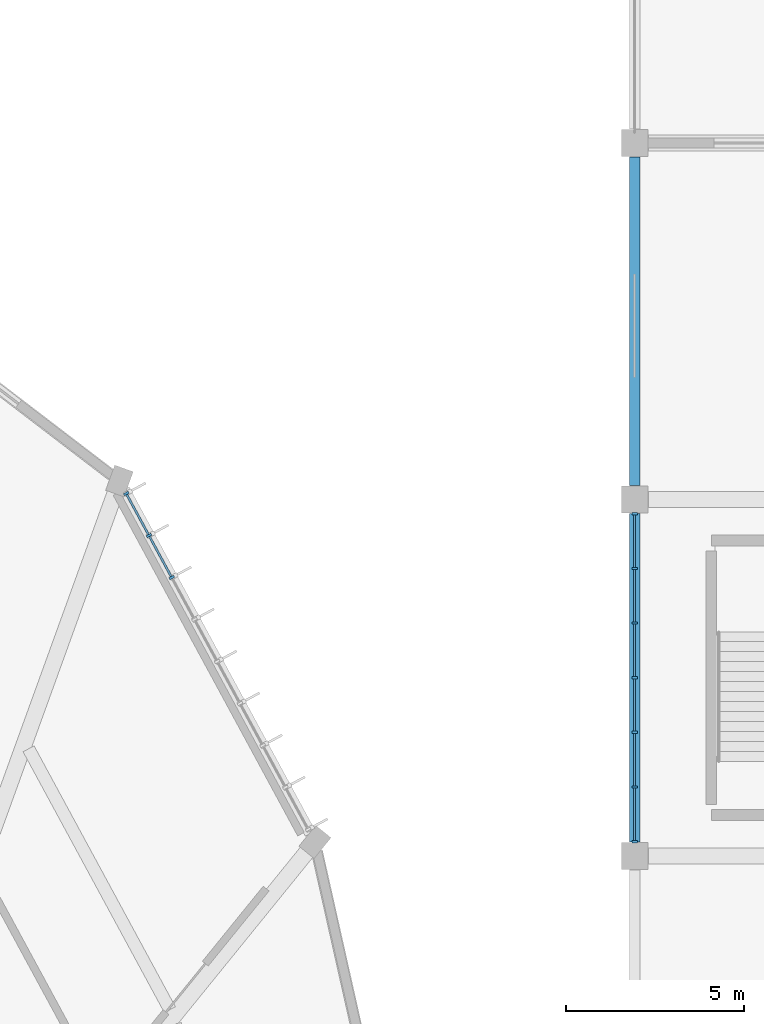
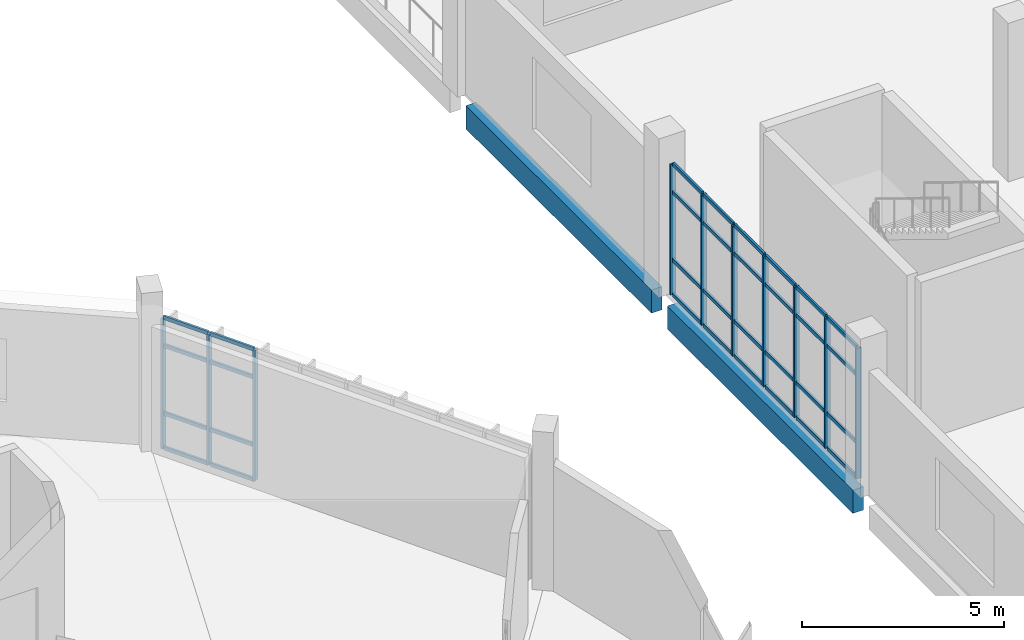
# One storey, part 73 of 179: 42 members, 2 beams, 2 elements without a shape of their own.
"""IFC4 building model written with IfcOpenShell, lengths in metres."""

from ifc_helpers import new_model, si_unit, direction, frame, origin, origin_2d, place, context, subcontext, project, spatial, rectangle, extrude, material, layer, layer_set, material_profile, profile_set, type_object, element, aggregate, save


model = new_model("IFC4")

# Units and contexts
model_context = context("Model", 3, precision=1e-05, world=origin(), true_north=direction((0.0, 1.0)))
body_context = subcontext(model_context, "Body", "Model", "MODEL_VIEW")
ifc_project = project(units=[si_unit("LENGTHUNIT", "METRE"), si_unit("AREAUNIT", "SQUARE_METRE"), si_unit("VOLUMEUNIT", "CUBIC_METRE"), si_unit("PLANEANGLEUNIT", "RADIAN"), si_unit("MASSUNIT", "GRAM", prefix="KILO")], contexts=[model_context])

# Site, building, storey
site_placement = place(None, origin())
site = spatial("IfcSite", under=ifc_project, at=site_placement, CompositionType="ELEMENT")
building_placement = place(site_placement, origin())
building = spatial("IfcBuilding", under=site, at=building_placement, Name="Corvandel Quay Wholesale Market", CompositionType="ELEMENT")
storey_placement = place(building_placement, frame((0.0, 0.0, 6.0)))
storey = spatial("IfcBuildingStorey", under=building, at=storey_placement, Name="L01", CompositionType="ELEMENT", Elevation=6.0)

# Curtain wall, members
ifc_material_1 = material(Name="Bronze anodised aluminium and low-E insulated glazing", Category="aluminium")
ifc_layer_1 = layer(ifc_material_1, 0.162109375)
ifc_layer_set_1 = layer_set([ifc_layer_1], Name="Bronze anodised aluminium and low-E insulated glazing")
curtain_wall_type_1 = type_object("IfcCurtainWallType", Name="Stick Curtain Wall System CW11 H3990", PredefinedType="NOTDEFINED", material=ifc_layer_set_1)
curtain_wall_1_placement = place(storey_placement, origin())
curtain_wall_1 = element("IfcCurtainWall", 1, at=curtain_wall_1_placement, inside=storey, type_object=curtain_wall_type_1, Name="Curtain Wall CW-0131", PredefinedType="NOTDEFINED")
ifc_material_2 = material(Name="Anodised aluminium 6063-T6", Category="aluminium")
ifc_material_profile_1 = material_profile(ifc_material_2, rectangle(XDim=0.06494140625, YDim=0.14990234375, at=origin_2d()), Name="ALU-MUL-65x150")
ifc_profile_set_1 = profile_set([ifc_material_profile_1], Name="Anodised aluminium 6063-T6")
member_type_1 = type_object("IfcMemberType", Name="Curtain Wall Mullion ML02 65x150", PredefinedType="MULLION", material=ifc_profile_set_1)
member_1_placement = place(storey_placement, frame((207.012451171875, 87.811279296875, 0.0), z_axis=(0.0, 0.0, 1.0), x_axis=(-0.476238203668, 0.879316310191, 0.0)))
member_1 = element("IfcMember", 2, at=member_1_placement, type_object=member_type_1, Name="Mullion CW-0131-M06", PredefinedType="MULLION", context=body_context, shape_type="SweptSolid", body=[
    extrude(rectangle(XDim=0.06494140625, YDim=0.14990234375, at=origin_2d()), origin(), (0.0, 0.0, 1.0), 3.949951171875),
])
member_2_placement = place(storey_placement, frame((206.37451171875, 88.989501953125, 0.0), z_axis=(0.0, 0.0, 1.0), x_axis=(-0.476238203668, 0.879316310191, 0.0)))
member_2 = element("IfcMember", 3, at=member_2_placement, type_object=member_type_1, Name="Mullion CW-0131-M07", PredefinedType="MULLION", context=body_context, shape_type="SweptSolid", body=[
    extrude(rectangle(XDim=0.06494140625, YDim=0.14990234375, at=origin_2d()), origin(), (0.0, 0.0, 1.0), 3.949951171875),
])
member_3_placement = place(storey_placement, frame((205.736572265625, 90.167236328125, 0.0), z_axis=(0.0, 0.0, 1.0), x_axis=(-0.476238203668, 0.879316310191, 0.0)))
member_3 = element("IfcMember", 4, at=member_3_placement, type_object=member_type_1, Name="Mullion CW-0131-M08", PredefinedType="MULLION", context=body_context, shape_type="SweptSolid", body=[
    extrude(rectangle(XDim=0.06494140625, YDim=0.14990234375, at=origin_2d()), origin(), (0.0, 0.0, 1.0), 3.949951171875),
])

ifc_layer_2 = layer(ifc_material_1, 0.162109375)
ifc_layer_set_2 = layer_set([ifc_layer_2], Name="Bronze anodised aluminium and low-E insulated glazing")
curtain_wall_type_2 = type_object("IfcCurtainWallType", Name="Stick Curtain Wall System CW26 H5340", PredefinedType="NOTDEFINED", material=ifc_layer_set_2)
curtain_wall_2_placement = place(storey_placement, origin())
curtain_wall_2 = element("IfcCurtainWall", 5, at=curtain_wall_2_placement, inside=storey, type_object=curtain_wall_type_2, Name="Curtain Wall CW-0155", PredefinedType="NOTDEFINED")
member_4_placement = place(storey_placement, frame((220.0, 80.39990234375, 0.0), z_axis=(0.0, 0.0, 1.0), x_axis=(0.0, 1.0, 0.0)))
member_4 = element("IfcMember", 6, at=member_4_placement, type_object=member_type_1, Name="Mullion CW-0155-M00", PredefinedType="MULLION", context=body_context, shape_type="SweptSolid", body=[
    extrude(rectangle(XDim=0.06494140625, YDim=0.14990234375, at=origin_2d()), origin(), (0.0, 0.0, 1.0), 3.949951171875),
])
member_5_placement = place(storey_placement, frame((220.0, 81.933349609375, 0.0), z_axis=(0.0, 0.0, 1.0), x_axis=(0.0, 1.0, 0.0)))
member_5 = element("IfcMember", 7, at=member_5_placement, type_object=member_type_1, Name="Mullion CW-0155-M01", PredefinedType="MULLION", context=body_context, shape_type="SweptSolid", body=[
    extrude(rectangle(XDim=0.06494140625, YDim=0.14990234375, at=origin_2d()), origin(), (0.0, 0.0, 1.0), 3.949951171875),
])
member_6_placement = place(storey_placement, frame((220.0, 83.466796875, 0.0), z_axis=(0.0, 0.0, 1.0), x_axis=(0.0, 1.0, 0.0)))
member_6 = element("IfcMember", 8, at=member_6_placement, type_object=member_type_1, Name="Mullion CW-0155-M02", PredefinedType="MULLION", context=body_context, shape_type="SweptSolid", body=[
    extrude(rectangle(XDim=0.06494140625, YDim=0.14990234375, at=origin_2d()), origin(), (0.0, 0.0, 1.0), 3.949951171875),
])
member_7_placement = place(storey_placement, frame((220.0, 85.0, 0.0), z_axis=(0.0, 0.0, 1.0), x_axis=(0.0, 1.0, 0.0)))
member_7 = element("IfcMember", 9, at=member_7_placement, type_object=member_type_1, Name="Mullion CW-0155-M03", PredefinedType="MULLION", context=body_context, shape_type="SweptSolid", body=[
    extrude(rectangle(XDim=0.06494140625, YDim=0.14990234375, at=origin_2d()), origin(), (0.0, 0.0, 1.0), 3.949951171875),
])
member_8_placement = place(storey_placement, frame((220.0, 86.533203125, 0.0), z_axis=(0.0, 0.0, 1.0), x_axis=(0.0, 1.0, 0.0)))
member_8 = element("IfcMember", 10, at=member_8_placement, type_object=member_type_1, Name="Mullion CW-0155-M04", PredefinedType="MULLION", context=body_context, shape_type="SweptSolid", body=[
    extrude(rectangle(XDim=0.06494140625, YDim=0.14990234375, at=origin_2d()), origin(), (0.0, 0.0, 1.0), 3.949951171875),
])
member_9_placement = place(storey_placement, frame((220.0, 88.066650390625, 0.0), z_axis=(0.0, 0.0, 1.0), x_axis=(0.0, 1.0, 0.0)))
member_9 = element("IfcMember", 11, at=member_9_placement, type_object=member_type_1, Name="Mullion CW-0155-M05", PredefinedType="MULLION", context=body_context, shape_type="SweptSolid", body=[
    extrude(rectangle(XDim=0.06494140625, YDim=0.14990234375, at=origin_2d()), origin(), (0.0, 0.0, 1.0), 3.949951171875),
])
member_10_placement = place(storey_placement, frame((220.0, 89.60009765625, 0.0), z_axis=(0.0, 0.0, 1.0), x_axis=(0.0, 1.0, 0.0)))
member_10 = element("IfcMember", 12, at=member_10_placement, type_object=member_type_1, Name="Mullion CW-0155-M06", PredefinedType="MULLION", context=body_context, shape_type="SweptSolid", body=[
    extrude(rectangle(XDim=0.06494140625, YDim=0.14990234375, at=origin_2d()), origin(), (0.0, 0.0, 1.0), 3.949951171875),
])

# Member
ifc_material_profile_2 = material_profile(ifc_material_2, rectangle(XDim=0.06005859375, YDim=0.110107421875, at=origin_2d()), Name="ALU-TRN-60x110")
ifc_profile_set_2 = profile_set([ifc_material_profile_2], Name="Anodised aluminium 6063-T6")
member_type_2 = type_object("IfcMemberType", Name="Curtain Wall Transom TR02 60x110", PredefinedType="USERDEFINED", material=ifc_profile_set_2)
member_11_placement = place(storey_placement, frame((206.9970703125, 87.840087890625, 0.0), z_axis=(-0.476394220214, 0.87923179364, 0.0), x_axis=(-0.87923179364, -0.476394220214, 0.0)))
member_11 = element("IfcMember", 13, at=member_11_placement, type_object=member_type_2, Name="Transom CW-0131-T06-0", ObjectType="TRANSOM", PredefinedType="USERDEFINED", context=body_context, shape_type="SweptSolid", body=[
    extrude(rectangle(XDim=0.06005859375, YDim=0.110107421875, at=origin_2d()), origin(), (0.0, 0.0, 1.0), 1.2744140625),
])

member_12_placement = place(storey_placement, frame((206.9970703125, 87.840087890625, 1.050048828125), z_axis=(-0.476394220214, 0.87923179364, 0.0), x_axis=(-0.87923179364, -0.476394220214, 0.0)))
member_12 = element("IfcMember", 14, at=member_12_placement, type_object=member_type_2, Name="Transom CW-0131-T06-1", ObjectType="TRANSOM", PredefinedType="USERDEFINED", context=body_context, shape_type="SweptSolid", body=[
    extrude(rectangle(XDim=0.06005859375, YDim=0.110107421875, at=origin_2d()), origin(), (0.0, 0.0, 1.0), 1.2744140625),
])

member_13_placement = place(storey_placement, frame((206.9970703125, 87.840087890625, 3.10009765625), z_axis=(-0.476394220214, 0.87923179364, 0.0), x_axis=(-0.87923179364, -0.476394220214, 0.0)))
member_13 = element("IfcMember", 15, at=member_13_placement, type_object=member_type_2, Name="Transom CW-0131-T06-2", ObjectType="TRANSOM", PredefinedType="USERDEFINED", context=body_context, shape_type="SweptSolid", body=[
    extrude(rectangle(XDim=0.06005859375, YDim=0.110107421875, at=origin_2d()), origin(), (0.0, 0.0, 1.0), 1.2744140625),
])

member_14_placement = place(storey_placement, frame((206.9970703125, 87.840087890625, 3.949951171875), z_axis=(-0.476394220214, 0.87923179364, 0.0), x_axis=(-0.87923179364, -0.476394220214, 0.0)))
member_14 = element("IfcMember", 16, at=member_14_placement, type_object=member_type_2, Name="Transom CW-0131-T06-3", ObjectType="TRANSOM", PredefinedType="USERDEFINED", context=body_context, shape_type="SweptSolid", body=[
    extrude(rectangle(XDim=0.06005859375, YDim=0.110107421875, at=origin_2d()), origin(), (0.0, 0.0, 1.0), 1.2744140625),
])

member_15_placement = place(storey_placement, frame((206.35888671875, 89.017822265625, 0.0), z_axis=(-0.476165907025, 0.879355462249, 0.0), x_axis=(-0.879355462249, -0.476165907025, 0.0)))
member_15 = element("IfcMember", 17, at=member_15_placement, type_object=member_type_2, Name="Transom CW-0131-T07-0", ObjectType="TRANSOM", PredefinedType="USERDEFINED", context=body_context, shape_type="SweptSolid", body=[
    extrude(rectangle(XDim=0.06005859375, YDim=0.110107421875, at=origin_2d()), origin(), (0.0, 0.0, 1.0), 1.274658203125),
])

member_16_placement = place(storey_placement, frame((206.35888671875, 89.017822265625, 1.050048828125), z_axis=(-0.476165907025, 0.879355462249, 0.0), x_axis=(-0.879355462249, -0.476165907025, 0.0)))
member_16 = element("IfcMember", 18, at=member_16_placement, type_object=member_type_2, Name="Transom CW-0131-T07-1", ObjectType="TRANSOM", PredefinedType="USERDEFINED", context=body_context, shape_type="SweptSolid", body=[
    extrude(rectangle(XDim=0.06005859375, YDim=0.110107421875, at=origin_2d()), origin(), (0.0, 0.0, 1.0), 1.274658203125),
])

member_17_placement = place(storey_placement, frame((206.35888671875, 89.017822265625, 3.10009765625), z_axis=(-0.476165907025, 0.879355462249, 0.0), x_axis=(-0.879355462249, -0.476165907025, 0.0)))
member_17 = element("IfcMember", 19, at=member_17_placement, type_object=member_type_2, Name="Transom CW-0131-T07-2", ObjectType="TRANSOM", PredefinedType="USERDEFINED", context=body_context, shape_type="SweptSolid", body=[
    extrude(rectangle(XDim=0.06005859375, YDim=0.110107421875, at=origin_2d()), origin(), (0.0, 0.0, 1.0), 1.274658203125),
])

member_18_placement = place(storey_placement, frame((206.35888671875, 89.017822265625, 3.949951171875), z_axis=(-0.476165907025, 0.879355462249, 0.0), x_axis=(-0.879355462249, -0.476165907025, 0.0)))
member_18 = element("IfcMember", 20, at=member_18_placement, type_object=member_type_2, Name="Transom CW-0131-T07-3", ObjectType="TRANSOM", PredefinedType="USERDEFINED", context=body_context, shape_type="SweptSolid", body=[
    extrude(rectangle(XDim=0.06005859375, YDim=0.110107421875, at=origin_2d()), origin(), (0.0, 0.0, 1.0), 1.274658203125),
])

aggregate(curtain_wall_1, [member_1, member_2, member_3, member_11, member_12, member_13, member_14, member_15, member_16, member_17, member_18])

member_19_placement = place(storey_placement, frame((220.0, 80.4326171875, 0.0), z_axis=(0.0, 1.0, 0.0), x_axis=(-1.0, 0.0, 0.0)))
member_19 = element("IfcMember", 21, at=member_19_placement, type_object=member_type_2, Name="Transom CW-0155-T00-0", ObjectType="TRANSOM", PredefinedType="USERDEFINED", context=body_context, shape_type="SweptSolid", body=[
    extrude(rectangle(XDim=0.06005859375, YDim=0.110107421875, at=origin_2d()), origin(), (0.0, 0.0, 1.0), 1.46826171875),
])

member_20_placement = place(storey_placement, frame((220.0, 80.4326171875, 1.050048828125), z_axis=(0.0, 1.0, 0.0), x_axis=(-1.0, 0.0, 0.0)))
member_20 = element("IfcMember", 22, at=member_20_placement, type_object=member_type_2, Name="Transom CW-0155-T00-1", ObjectType="TRANSOM", PredefinedType="USERDEFINED", context=body_context, shape_type="SweptSolid", body=[
    extrude(rectangle(XDim=0.06005859375, YDim=0.110107421875, at=origin_2d()), origin(), (0.0, 0.0, 1.0), 1.46826171875),
])

member_21_placement = place(storey_placement, frame((220.0, 80.4326171875, 3.10009765625), z_axis=(0.0, 1.0, 0.0), x_axis=(-1.0, 0.0, 0.0)))
member_21 = element("IfcMember", 23, at=member_21_placement, type_object=member_type_2, Name="Transom CW-0155-T00-2", ObjectType="TRANSOM", PredefinedType="USERDEFINED", context=body_context, shape_type="SweptSolid", body=[
    extrude(rectangle(XDim=0.06005859375, YDim=0.110107421875, at=origin_2d()), origin(), (0.0, 0.0, 1.0), 1.46826171875),
])

member_22_placement = place(storey_placement, frame((220.0, 80.4326171875, 3.949951171875), z_axis=(0.0, 1.0, 0.0), x_axis=(-1.0, 0.0, 0.0)))
member_22 = element("IfcMember", 24, at=member_22_placement, type_object=member_type_2, Name="Transom CW-0155-T00-3", ObjectType="TRANSOM", PredefinedType="USERDEFINED", context=body_context, shape_type="SweptSolid", body=[
    extrude(rectangle(XDim=0.06005859375, YDim=0.110107421875, at=origin_2d()), origin(), (0.0, 0.0, 1.0), 1.46826171875),
])

member_23_placement = place(storey_placement, frame((220.0, 81.9658203125, 0.0), z_axis=(0.0, 1.0, 0.0), x_axis=(-1.0, 0.0, 0.0)))
member_23 = element("IfcMember", 25, at=member_23_placement, type_object=member_type_2, Name="Transom CW-0155-T01-0", ObjectType="TRANSOM", PredefinedType="USERDEFINED", context=body_context, shape_type="SweptSolid", body=[
    extrude(rectangle(XDim=0.06005859375, YDim=0.110107421875, at=origin_2d()), origin(), (0.0, 0.0, 1.0), 1.46826171875),
])

member_24_placement = place(storey_placement, frame((220.0, 81.9658203125, 1.050048828125), z_axis=(0.0, 1.0, 0.0), x_axis=(-1.0, 0.0, 0.0)))
member_24 = element("IfcMember", 26, at=member_24_placement, type_object=member_type_2, Name="Transom CW-0155-T01-1", ObjectType="TRANSOM", PredefinedType="USERDEFINED", context=body_context, shape_type="SweptSolid", body=[
    extrude(rectangle(XDim=0.06005859375, YDim=0.110107421875, at=origin_2d()), origin(), (0.0, 0.0, 1.0), 1.46826171875),
])

member_25_placement = place(storey_placement, frame((220.0, 81.9658203125, 3.10009765625), z_axis=(0.0, 1.0, 0.0), x_axis=(-1.0, 0.0, 0.0)))
member_25 = element("IfcMember", 27, at=member_25_placement, type_object=member_type_2, Name="Transom CW-0155-T01-2", ObjectType="TRANSOM", PredefinedType="USERDEFINED", context=body_context, shape_type="SweptSolid", body=[
    extrude(rectangle(XDim=0.06005859375, YDim=0.110107421875, at=origin_2d()), origin(), (0.0, 0.0, 1.0), 1.46826171875),
])

member_26_placement = place(storey_placement, frame((220.0, 81.9658203125, 3.949951171875), z_axis=(0.0, 1.0, 0.0), x_axis=(-1.0, 0.0, 0.0)))
member_26 = element("IfcMember", 28, at=member_26_placement, type_object=member_type_2, Name="Transom CW-0155-T01-3", ObjectType="TRANSOM", PredefinedType="USERDEFINED", context=body_context, shape_type="SweptSolid", body=[
    extrude(rectangle(XDim=0.06005859375, YDim=0.110107421875, at=origin_2d()), origin(), (0.0, 0.0, 1.0), 1.46826171875),
])

member_27_placement = place(storey_placement, frame((220.0, 83.499267578125, 0.0), z_axis=(0.0, 1.0, 0.0), x_axis=(-1.0, 0.0, 0.0)))
member_27 = element("IfcMember", 29, at=member_27_placement, type_object=member_type_2, Name="Transom CW-0155-T02-0", ObjectType="TRANSOM", PredefinedType="USERDEFINED", context=body_context, shape_type="SweptSolid", body=[
    extrude(rectangle(XDim=0.06005859375, YDim=0.110107421875, at=origin_2d()), origin(), (0.0, 0.0, 1.0), 1.46826171875),
])

member_28_placement = place(storey_placement, frame((220.0, 83.499267578125, 1.050048828125), z_axis=(0.0, 1.0, 0.0), x_axis=(-1.0, 0.0, 0.0)))
member_28 = element("IfcMember", 30, at=member_28_placement, type_object=member_type_2, Name="Transom CW-0155-T02-1", ObjectType="TRANSOM", PredefinedType="USERDEFINED", context=body_context, shape_type="SweptSolid", body=[
    extrude(rectangle(XDim=0.06005859375, YDim=0.110107421875, at=origin_2d()), origin(), (0.0, 0.0, 1.0), 1.46826171875),
])

member_29_placement = place(storey_placement, frame((220.0, 83.499267578125, 3.10009765625), z_axis=(0.0, 1.0, 0.0), x_axis=(-1.0, 0.0, 0.0)))
member_29 = element("IfcMember", 31, at=member_29_placement, type_object=member_type_2, Name="Transom CW-0155-T02-2", ObjectType="TRANSOM", PredefinedType="USERDEFINED", context=body_context, shape_type="SweptSolid", body=[
    extrude(rectangle(XDim=0.06005859375, YDim=0.110107421875, at=origin_2d()), origin(), (0.0, 0.0, 1.0), 1.46826171875),
])

member_30_placement = place(storey_placement, frame((220.0, 83.499267578125, 3.949951171875), z_axis=(0.0, 1.0, 0.0), x_axis=(-1.0, 0.0, 0.0)))
member_30 = element("IfcMember", 32, at=member_30_placement, type_object=member_type_2, Name="Transom CW-0155-T02-3", ObjectType="TRANSOM", PredefinedType="USERDEFINED", context=body_context, shape_type="SweptSolid", body=[
    extrude(rectangle(XDim=0.06005859375, YDim=0.110107421875, at=origin_2d()), origin(), (0.0, 0.0, 1.0), 1.46826171875),
])

member_31_placement = place(storey_placement, frame((220.0, 85.032470703125, 0.0), z_axis=(0.0, 1.0, 0.0), x_axis=(-1.0, 0.0, 0.0)))
member_31 = element("IfcMember", 33, at=member_31_placement, type_object=member_type_2, Name="Transom CW-0155-T03-0", ObjectType="TRANSOM", PredefinedType="USERDEFINED", context=body_context, shape_type="SweptSolid", body=[
    extrude(rectangle(XDim=0.06005859375, YDim=0.110107421875, at=origin_2d()), origin(), (0.0, 0.0, 1.0), 1.46826171875),
])

member_32_placement = place(storey_placement, frame((220.0, 85.032470703125, 1.050048828125), z_axis=(0.0, 1.0, 0.0), x_axis=(-1.0, 0.0, 0.0)))
member_32 = element("IfcMember", 34, at=member_32_placement, type_object=member_type_2, Name="Transom CW-0155-T03-1", ObjectType="TRANSOM", PredefinedType="USERDEFINED", context=body_context, shape_type="SweptSolid", body=[
    extrude(rectangle(XDim=0.06005859375, YDim=0.110107421875, at=origin_2d()), origin(), (0.0, 0.0, 1.0), 1.46826171875),
])

member_33_placement = place(storey_placement, frame((220.0, 85.032470703125, 3.10009765625), z_axis=(0.0, 1.0, 0.0), x_axis=(-1.0, 0.0, 0.0)))
member_33 = element("IfcMember", 35, at=member_33_placement, type_object=member_type_2, Name="Transom CW-0155-T03-2", ObjectType="TRANSOM", PredefinedType="USERDEFINED", context=body_context, shape_type="SweptSolid", body=[
    extrude(rectangle(XDim=0.06005859375, YDim=0.110107421875, at=origin_2d()), origin(), (0.0, 0.0, 1.0), 1.46826171875),
])

member_34_placement = place(storey_placement, frame((220.0, 85.032470703125, 3.949951171875), z_axis=(0.0, 1.0, 0.0), x_axis=(-1.0, 0.0, 0.0)))
member_34 = element("IfcMember", 36, at=member_34_placement, type_object=member_type_2, Name="Transom CW-0155-T03-3", ObjectType="TRANSOM", PredefinedType="USERDEFINED", context=body_context, shape_type="SweptSolid", body=[
    extrude(rectangle(XDim=0.06005859375, YDim=0.110107421875, at=origin_2d()), origin(), (0.0, 0.0, 1.0), 1.46826171875),
])

member_35_placement = place(storey_placement, frame((220.0, 86.56591796875, 0.0), z_axis=(0.0, 1.0, 0.0), x_axis=(-1.0, 0.0, 0.0)))
member_35 = element("IfcMember", 37, at=member_35_placement, type_object=member_type_2, Name="Transom CW-0155-T04-0", ObjectType="TRANSOM", PredefinedType="USERDEFINED", context=body_context, shape_type="SweptSolid", body=[
    extrude(rectangle(XDim=0.06005859375, YDim=0.110107421875, at=origin_2d()), origin(), (0.0, 0.0, 1.0), 1.46826171875),
])

member_36_placement = place(storey_placement, frame((220.0, 86.56591796875, 1.050048828125), z_axis=(0.0, 1.0, 0.0), x_axis=(-1.0, 0.0, 0.0)))
member_36 = element("IfcMember", 38, at=member_36_placement, type_object=member_type_2, Name="Transom CW-0155-T04-1", ObjectType="TRANSOM", PredefinedType="USERDEFINED", context=body_context, shape_type="SweptSolid", body=[
    extrude(rectangle(XDim=0.06005859375, YDim=0.110107421875, at=origin_2d()), origin(), (0.0, 0.0, 1.0), 1.46826171875),
])

member_37_placement = place(storey_placement, frame((220.0, 86.56591796875, 3.10009765625), z_axis=(0.0, 1.0, 0.0), x_axis=(-1.0, 0.0, 0.0)))
member_37 = element("IfcMember", 39, at=member_37_placement, type_object=member_type_2, Name="Transom CW-0155-T04-2", ObjectType="TRANSOM", PredefinedType="USERDEFINED", context=body_context, shape_type="SweptSolid", body=[
    extrude(rectangle(XDim=0.06005859375, YDim=0.110107421875, at=origin_2d()), origin(), (0.0, 0.0, 1.0), 1.46826171875),
])

member_38_placement = place(storey_placement, frame((220.0, 86.56591796875, 3.949951171875), z_axis=(0.0, 1.0, 0.0), x_axis=(-1.0, 0.0, 0.0)))
member_38 = element("IfcMember", 40, at=member_38_placement, type_object=member_type_2, Name="Transom CW-0155-T04-3", ObjectType="TRANSOM", PredefinedType="USERDEFINED", context=body_context, shape_type="SweptSolid", body=[
    extrude(rectangle(XDim=0.06005859375, YDim=0.110107421875, at=origin_2d()), origin(), (0.0, 0.0, 1.0), 1.46826171875),
])

member_39_placement = place(storey_placement, frame((220.0, 88.09912109375, 0.0), z_axis=(0.0, 1.0, 0.0), x_axis=(-1.0, 0.0, 0.0)))
member_39 = element("IfcMember", 41, at=member_39_placement, type_object=member_type_2, Name="Transom CW-0155-T05-0", ObjectType="TRANSOM", PredefinedType="USERDEFINED", context=body_context, shape_type="SweptSolid", body=[
    extrude(rectangle(XDim=0.06005859375, YDim=0.110107421875, at=origin_2d()), origin(), (0.0, 0.0, 1.0), 1.46826171875),
])

member_40_placement = place(storey_placement, frame((220.0, 88.09912109375, 1.050048828125), z_axis=(0.0, 1.0, 0.0), x_axis=(-1.0, 0.0, 0.0)))
member_40 = element("IfcMember", 42, at=member_40_placement, type_object=member_type_2, Name="Transom CW-0155-T05-1", ObjectType="TRANSOM", PredefinedType="USERDEFINED", context=body_context, shape_type="SweptSolid", body=[
    extrude(rectangle(XDim=0.06005859375, YDim=0.110107421875, at=origin_2d()), origin(), (0.0, 0.0, 1.0), 1.46826171875),
])

member_41_placement = place(storey_placement, frame((220.0, 88.09912109375, 3.10009765625), z_axis=(0.0, 1.0, 0.0), x_axis=(-1.0, 0.0, 0.0)))
member_41 = element("IfcMember", 43, at=member_41_placement, type_object=member_type_2, Name="Transom CW-0155-T05-2", ObjectType="TRANSOM", PredefinedType="USERDEFINED", context=body_context, shape_type="SweptSolid", body=[
    extrude(rectangle(XDim=0.06005859375, YDim=0.110107421875, at=origin_2d()), origin(), (0.0, 0.0, 1.0), 1.46826171875),
])

member_42_placement = place(storey_placement, frame((220.0, 88.09912109375, 3.949951171875), z_axis=(0.0, 1.0, 0.0), x_axis=(-1.0, 0.0, 0.0)))
member_42 = element("IfcMember", 44, at=member_42_placement, type_object=member_type_2, Name="Transom CW-0155-T05-3", ObjectType="TRANSOM", PredefinedType="USERDEFINED", context=body_context, shape_type="SweptSolid", body=[
    extrude(rectangle(XDim=0.06005859375, YDim=0.110107421875, at=origin_2d()), origin(), (0.0, 0.0, 1.0), 1.46826171875),
])

aggregate(curtain_wall_2, [member_4, member_5, member_6, member_7, member_8, member_9, member_10, member_19, member_20, member_21, member_22, member_23, member_24, member_25, member_26, member_27, member_28, member_29, member_30, member_31, member_32, member_33, member_34, member_35, member_36, member_37, member_38, member_39, member_40, member_41, member_42])

# Beams
ifc_material_3 = material(Name="Precast concrete C45/55", Category="concrete")
ifc_material_profile_3 = material_profile(ifc_material_3, rectangle(XDim=0.300048828125, YDim=0.699951171875, at=origin_2d()), Name="PC-SPN-300x700")
ifc_profile_set_3 = profile_set([ifc_material_profile_3], Name="Precast concrete C45/55")
beam_type = type_object("IfcBeamType", Name="Terrace Edge Spandrel SP03 300x700", PredefinedType="SPANDREL", material=ifc_profile_set_3)
for number, where, z_axis, x_axis, name in (
    (45, (220.0, 80.39501953125, -0.669921875), (0.0, 1.0, 0.0), (-1.0, 0.0, 0.0), "Beam BM-1446"),
    (46, (220.0, 90.39501953125, -0.669921875), (0.0, 1.0, 0.0), (-1.0, 0.0, 0.0), "Beam BM-1447"),
):
    element("IfcBeam", number, at=place(storey_placement, frame(where, z_axis=z_axis, x_axis=x_axis)), inside=storey, type_object=beam_type, Name=name, PredefinedType="SPANDREL", context=body_context, shape_type="SweptSolid", body=[
        extrude(rectangle(XDim=0.300048828125, YDim=0.699951171875, at=origin_2d()), origin(), (0.0, 0.0, 1.0), 9.2099609375),
    ])

save(model, "model.ifc")
